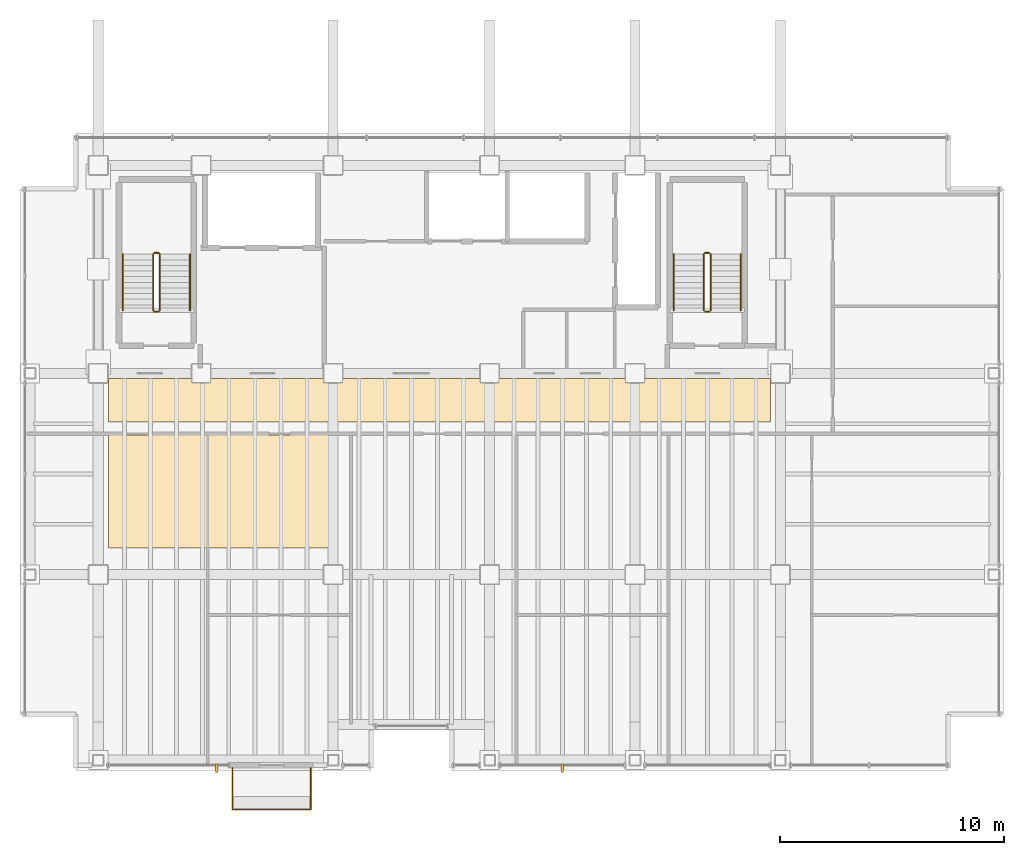
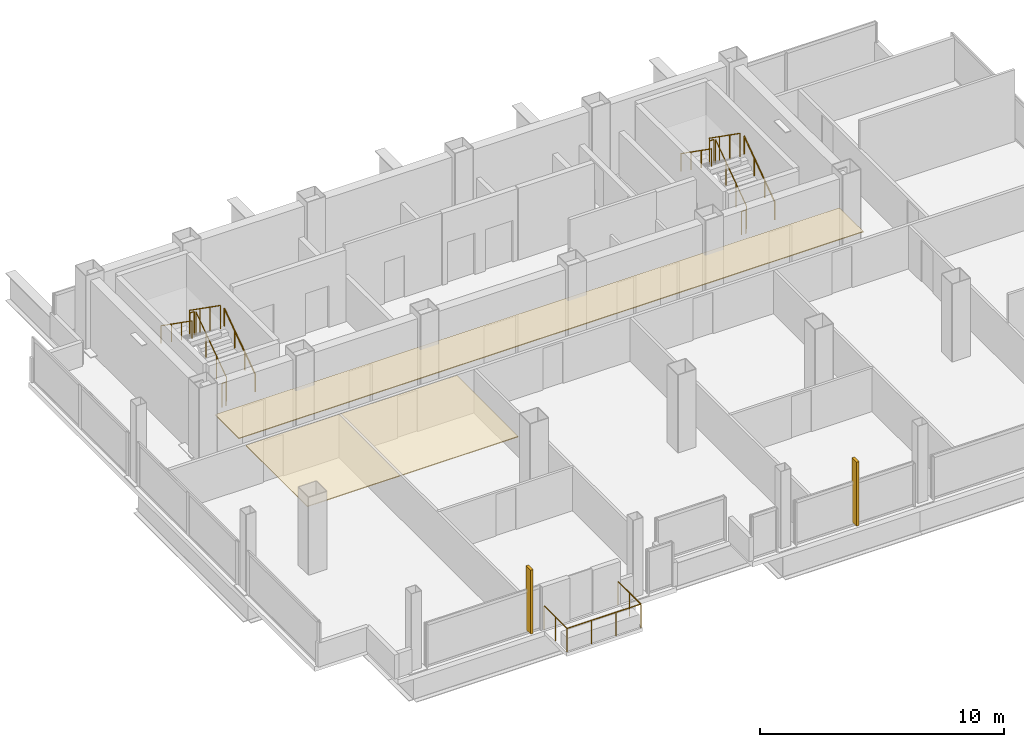
# One storey, part 17 of 17: 13 railings, 2 coverings, 2 shading devices.
"""IFC4 building model written with IfcOpenShell, lengths in metres."""

from ifc_helpers import new_model, si_unit, direction, frame, origin, origin_2d, place, context, subcontext, project, spatial, polyline, rectangle, circle, outline, extrude, material, layer, layer_set, type_object, element, save


model = new_model("IFC4")

# Units and contexts
model_context = context("Model", 3, precision=1e-05, world=origin(), true_north=direction((0.0, 1.0)))
body_context = subcontext(model_context, "Body", "Model", "MODEL_VIEW")
ifc_project = project(units=[si_unit("LENGTHUNIT", "METRE"), si_unit("AREAUNIT", "SQUARE_METRE"), si_unit("VOLUMEUNIT", "CUBIC_METRE"), si_unit("PLANEANGLEUNIT", "RADIAN"), si_unit("MASSUNIT", "GRAM", prefix="KILO")], contexts=[model_context])

# Site, building, storey
site_placement = place(None, origin())
site = spatial("IfcSite", under=ifc_project, at=site_placement, CompositionType="ELEMENT")
building_placement = place(site_placement, origin())
building = spatial("IfcBuilding", under=site, at=building_placement, Name="Noeulbin Bourse Tower", CompositionType="ELEMENT")
storey_placement = place(building_placement, frame((0.0, 0.0, 196.800048828125)))
storey = spatial("IfcBuildingStorey", under=building, at=storey_placement, Name="L49", CompositionType="ELEMENT", Elevation=196.800048828125)

# Coverings
ifc_material_1 = material(Name="Perforated Mineral-Fibre Acoustic Tile")
ifc_layer_1 = layer(ifc_material_1, 0.0400390625)
ifc_layer_set_1 = layer_set([ifc_layer_1], Name="Perforated Mineral-Fibre Acoustic Tile")
covering_type = type_object("IfcCoveringType", Name="COV-CEIL-ACT", PredefinedType="CEILING", material=ifc_layer_set_1)
covering_1_placement = place(storey_placement, frame((0.0, 0.0, 2.10986328125)))
element("IfcCovering", 1, at=covering_1_placement, inside=storey, type_object=covering_type, Name="Corridor Suspended Ceiling L49", PredefinedType="CEILING", context=body_context, shape_type="SweptSolid", body=[
    extrude(outline(polyline([(13.949951171875, 26.820068359375), (43.550048828125, 26.820068359375), (43.550048828125, 28.780029296875), (13.949951171875, 28.780029296875), (13.949951171875, 26.820068359375)])), origin(), (0.0, 0.0, 1.0), 0.0400390625),
])
covering_2_placement = place(storey_placement, frame((0.0, 0.0, 2.10986328125)))
element("IfcCovering", 2, at=covering_2_placement, inside=storey, type_object=covering_type, Name="Trading Suite Acoustic Ceiling L49", PredefinedType="CEILING", context=body_context, shape_type="SweptSolid", body=[
    extrude(outline(polyline([(13.949951171875, 21.199951171875), (23.949951171875, 21.199951171875), (23.949951171875, 26.25), (13.949951171875, 26.25), (13.949951171875, 21.199951171875)])), origin(), (0.0, 0.0, 1.0), 0.0400390625),
])

# Railings
ifc_material_2 = material(Name="Laminated SentryGlas and Stainless Steel 316", Category="steel")
ifc_layer_2 = layer(ifc_material_2, 0.06005859375)
ifc_layer_set_2 = layer_set([ifc_layer_2], Name="Laminated SentryGlas and Stainless Steel 316")
railing_type_1 = type_object("IfcRailingType", Name="RLG-BAL-1200", PredefinedType="BALUSTRADE", material=ifc_layer_set_2)
railing_1_placement = place(storey_placement, frame((19.5, 11.3701171875, 0.0)))
element("IfcRailing", 3, at=railing_1_placement, inside=storey, type_object=railing_type_1, Name="Tree-Balcony Glazed Balustrade L49", PredefinedType="BALUSTRADE", context=body_context, shape_type="SweptSolid", body=[
    extrude(circle(Radius=0.02392578125, at=origin_2d()), frame((0.0, 0.0, 1.17578125), z_axis=(0.0, -1.0, 0.0), x_axis=(1.0, 0.0, 0.0)), (0.0, 0.0, 1.0), 1.8701171875),
    extrude(circle(Radius=0.02392578125, at=origin_2d()), frame((0.0, -1.8701171875, 1.17578125), z_axis=(1.0, 0.0, 0.0), x_axis=(0.0, 1.0, 0.0)), (0.0, 0.0, 1.0), 3.5),
    extrude(circle(Radius=0.02392578125, at=origin_2d()), frame((3.5, -1.8701171875, 1.17578125), z_axis=(0.0, 1.0, 0.0), x_axis=(-1.0, 0.0, 0.0)), (0.0, 0.0, 1.0), 1.8701171875),
    extrude(circle(Radius=0.02099609375, at=origin_2d()), origin(), (0.0, 0.0, 1.0), 1.15185546875),
    extrude(circle(Radius=0.02099609375, at=origin_2d()), frame((0.0, -0.93505859375, 0.0)), (0.0, 0.0, 1.0), 1.15185546875),
    extrude(circle(Radius=0.02099609375, at=origin_2d()), frame((0.0, -1.8701171875, 0.0)), (0.0, 0.0, 1.0), 1.15185546875),
    extrude(circle(Radius=0.02099609375, at=origin_2d()), frame((1.166748046875, -1.8701171875, 0.0)), (0.0, 0.0, 1.0), 1.15185546875),
    extrude(circle(Radius=0.02099609375, at=origin_2d()), frame((2.333251953125, -1.8701171875, 0.0)), (0.0, 0.0, 1.0), 1.15185546875),
    extrude(circle(Radius=0.02099609375, at=origin_2d()), frame((3.5, -1.8701171875, 0.0)), (0.0, 0.0, 1.0), 1.15185546875),
    extrude(circle(Radius=0.02099609375, at=origin_2d()), frame((3.5, -0.93505859375, 0.0)), (0.0, 0.0, 1.0), 1.15185546875),
    extrude(circle(Radius=0.02099609375, at=origin_2d()), frame((3.5, 0.0, 0.0)), (0.0, 0.0, 1.0), 1.15185546875),
])
ifc_material_3 = material(Name="Painted Tubular Steel S355", Category="steel")
ifc_layer_3 = layer(ifc_material_3, 0.048095703125)
ifc_layer_set_3 = layer_set([ifc_layer_3], Name="Painted Tubular Steel S355")
railing_type_2 = type_object("IfcRailingType", Name="RLG-STR-GRD", PredefinedType="GUARDRAIL", material=ifc_layer_set_3)
railing_2_placement = place(storey_placement, frame((16.25, 31.81005859375, 0.17724609375)))
element("IfcRailing", 4, at=railing_2_placement, inside=storey, type_object=railing_type_2, Name="L49 ST-1 stair guard 1", PredefinedType="GUARDRAIL", context=body_context, shape_type="SweptSolid", body=[
    extrude(circle(Radius=0.02392578125, at=origin_2d()), frame((0.0, 0.0, 1.17578125), z_axis=(0.0, 0.817904474719, 0.575354039036), x_axis=(-1.0, 0.0, 0.0)), (0.0, 0.0, 1.0), 3.0810546875),
    extrude(circle(Radius=0.02099609375, at=origin_2d()), origin(), (0.0, 0.0, 1.0), 1.15185546875),
    extrude(circle(Radius=0.02099609375, at=origin_2d()), frame((0.0, 0.840087890625, 0.5908203125)), (0.0, 0.0, 1.0), 1.15185546875),
    extrude(circle(Radius=0.02099609375, at=origin_2d()), frame((0.0, 1.679931640625, 1.181884765625)), (0.0, 0.0, 1.0), 1.15185546875),
    extrude(circle(Radius=0.02099609375, at=origin_2d()), frame((0.0, 2.52001953125, 1.772705078125)), (0.0, 0.0, 1.0), 1.15185546875),
])
railing_3_placement = place(storey_placement, frame((16.199951171875, 34.3798828125, 1.949951171875)))
element("IfcRailing", 5, at=railing_3_placement, inside=storey, type_object=railing_type_2, Name="L49 ST-1 stair guard 2", PredefinedType="GUARDRAIL", context=body_context, shape_type="SweptSolid", body=[
    extrude(circle(Radius=0.02392578125, at=origin_2d()), frame((0.0, 0.0, 1.17578125), z_axis=(-1.0, 0.0, 0.0), x_axis=(0.0, -1.0, 0.0)), (0.0, 0.0, 1.0), 0.199951171875),
    extrude(circle(Radius=0.02099609375, at=origin_2d()), origin(), (0.0, 0.0, 1.0), 1.15185546875),
    extrude(circle(Radius=0.02099609375, at=origin_2d()), frame((-0.199951171875, 0.0, 0.0)), (0.0, 0.0, 1.0), 1.15185546875),
])
railing_4_placement = place(storey_placement, frame((15.949951171875, 34.330078125, 2.127197265625)))
element("IfcRailing", 6, at=railing_4_placement, inside=storey, type_object=railing_type_2, Name="L49 ST-1 stair guard 3", PredefinedType="GUARDRAIL", context=body_context, shape_type="SweptSolid", body=[
    extrude(circle(Radius=0.02392578125, at=origin_2d()), frame((0.0, 0.0, 1.17578125), z_axis=(0.0, -0.817904474719, 0.575354039036), x_axis=(1.0, 0.0, 0.0)), (0.0, 0.0, 1.0), 3.0810546875),
    extrude(circle(Radius=0.02099609375, at=origin_2d()), origin(), (0.0, 0.0, 1.0), 1.15185546875),
    extrude(circle(Radius=0.02099609375, at=origin_2d()), frame((0.0, -0.840087890625, 0.5908203125)), (0.0, 0.0, 1.0), 1.15185546875),
    extrude(circle(Radius=0.02099609375, at=origin_2d()), frame((0.0, -1.679931640625, 1.181884765625)), (0.0, 0.0, 1.0), 1.15185546875),
    extrude(circle(Radius=0.02099609375, at=origin_2d()), frame((0.0, -2.52001953125, 1.772705078125)), (0.0, 0.0, 1.0), 1.15185546875),
])
railing_5_placement = place(storey_placement, frame((16.199951171875, 31.760009765625, 0.0)))
element("IfcRailing", 7, at=railing_5_placement, inside=storey, type_object=railing_type_2, Name="L49 ST-1 stair guard 4", PredefinedType="GUARDRAIL", context=body_context, shape_type="SweptSolid", body=[
    extrude(circle(Radius=0.02392578125, at=origin_2d()), frame((0.0, 0.0, 1.17578125), z_axis=(-1.0, 0.0, 0.0), x_axis=(0.0, -1.0, 0.0)), (0.0, 0.0, 1.0), 0.199951171875),
    extrude(circle(Radius=0.02099609375, at=origin_2d()), origin(), (0.0, 0.0, 1.0), 1.15185546875),
    extrude(circle(Radius=0.02099609375, at=origin_2d()), frame((-0.199951171875, 0.0, 0.0)), (0.0, 0.0, 1.0), 1.15185546875),
])
railing_6_placement = place(storey_placement, frame((40.8798828125, 31.81005859375, 0.17724609375)))
element("IfcRailing", 8, at=railing_6_placement, inside=storey, type_object=railing_type_2, Name="L49 ST-2 stair guard 1", PredefinedType="GUARDRAIL", context=body_context, shape_type="SweptSolid", body=[
    extrude(circle(Radius=0.02392578125, at=origin_2d()), frame((0.0, 0.0, 1.17578125), z_axis=(0.0, 0.817904474719, 0.575354039036), x_axis=(-1.0, 0.0, 0.0)), (0.0, 0.0, 1.0), 3.0810546875),
    extrude(circle(Radius=0.02099609375, at=origin_2d()), origin(), (0.0, 0.0, 1.0), 1.15185546875),
    extrude(circle(Radius=0.02099609375, at=origin_2d()), frame((0.0, 0.840087890625, 0.5908203125)), (0.0, 0.0, 1.0), 1.15185546875),
    extrude(circle(Radius=0.02099609375, at=origin_2d()), frame((0.0, 1.679931640625, 1.181884765625)), (0.0, 0.0, 1.0), 1.15185546875),
    extrude(circle(Radius=0.02099609375, at=origin_2d()), frame((0.0, 2.52001953125, 1.772705078125)), (0.0, 0.0, 1.0), 1.15185546875),
])
railing_7_placement = place(storey_placement, frame((40.830078125, 34.3798828125, 1.949951171875)))
element("IfcRailing", 9, at=railing_7_placement, inside=storey, type_object=railing_type_2, Name="L49 ST-2 stair guard 2", PredefinedType="GUARDRAIL", context=body_context, shape_type="SweptSolid", body=[
    extrude(circle(Radius=0.02392578125, at=origin_2d()), frame((0.0, 0.0, 1.17578125), z_axis=(-1.0, 0.0, 0.0), x_axis=(0.0, -1.0, 0.0)), (0.0, 0.0, 1.0), 0.2001953125),
    extrude(circle(Radius=0.02099609375, at=origin_2d()), origin(), (0.0, 0.0, 1.0), 1.15185546875),
    extrude(circle(Radius=0.02099609375, at=origin_2d()), frame((-0.2001953125, 0.0, 0.0)), (0.0, 0.0, 1.0), 1.15185546875),
])
railing_8_placement = place(storey_placement, frame((40.580078125, 34.330078125, 2.127197265625)))
element("IfcRailing", 10, at=railing_8_placement, inside=storey, type_object=railing_type_2, Name="L49 ST-2 stair guard 3", PredefinedType="GUARDRAIL", context=body_context, shape_type="SweptSolid", body=[
    extrude(circle(Radius=0.02392578125, at=origin_2d()), frame((0.0, 0.0, 1.17578125), z_axis=(0.0, -0.817904474719, 0.575354039036), x_axis=(1.0, 0.0, 0.0)), (0.0, 0.0, 1.0), 3.0810546875),
    extrude(circle(Radius=0.02099609375, at=origin_2d()), origin(), (0.0, 0.0, 1.0), 1.15185546875),
    extrude(circle(Radius=0.02099609375, at=origin_2d()), frame((0.0, -0.840087890625, 0.5908203125)), (0.0, 0.0, 1.0), 1.15185546875),
    extrude(circle(Radius=0.02099609375, at=origin_2d()), frame((0.0, -1.679931640625, 1.181884765625)), (0.0, 0.0, 1.0), 1.15185546875),
    extrude(circle(Radius=0.02099609375, at=origin_2d()), frame((0.0, -2.52001953125, 1.772705078125)), (0.0, 0.0, 1.0), 1.15185546875),
])
railing_9_placement = place(storey_placement, frame((40.830078125, 31.760009765625, 0.0)))
element("IfcRailing", 11, at=railing_9_placement, inside=storey, type_object=railing_type_2, Name="L49 ST-2 stair guard 4", PredefinedType="GUARDRAIL", context=body_context, shape_type="SweptSolid", body=[
    extrude(circle(Radius=0.02392578125, at=origin_2d()), frame((0.0, 0.0, 1.17578125), z_axis=(-1.0, 0.0, 0.0), x_axis=(0.0, -1.0, 0.0)), (0.0, 0.0, 1.0), 0.2001953125),
    extrude(circle(Radius=0.02099609375, at=origin_2d()), origin(), (0.0, 0.0, 1.0), 1.15185546875),
    extrude(circle(Radius=0.02099609375, at=origin_2d()), frame((-0.2001953125, 0.0, 0.0)), (0.0, 0.0, 1.0), 1.15185546875),
])
ifc_material_4 = material(Name="Brushed Stainless Steel 316", Category="steel")
ifc_layer_4 = layer(ifc_material_4, 0.048095703125)
ifc_layer_set_4 = layer_set([ifc_layer_4], Name="Brushed Stainless Steel 316")
railing_type_3 = type_object("IfcRailingType", Name="RLG-STR-HND", PredefinedType="HANDRAIL", material=ifc_layer_set_4)
railing_10_placement = place(storey_placement, frame((17.60009765625, 31.81005859375, 0.17724609375)))
element("IfcRailing", 12, at=railing_10_placement, inside=storey, type_object=railing_type_3, Name="L49 ST-1 stair handrail 1", PredefinedType="HANDRAIL", context=body_context, shape_type="SweptSolid", body=[
    extrude(circle(Radius=0.02392578125, at=origin_2d()), frame((0.0, 0.0, 0.8759765625), z_axis=(0.0, 0.817904474719, 0.575354039036), x_axis=(-1.0, 0.0, 0.0)), (0.0, 0.0, 1.0), 3.0810546875),
    extrude(circle(Radius=0.02099609375, at=origin_2d()), origin(), (0.0, 0.0, 1.0), 0.851806640625),
    extrude(circle(Radius=0.02099609375, at=origin_2d()), frame((0.0, 0.840087890625, 0.5908203125)), (0.0, 0.0, 1.0), 0.851806640625),
    extrude(circle(Radius=0.02099609375, at=origin_2d()), frame((0.0, 1.679931640625, 1.181884765625)), (0.0, 0.0, 1.0), 0.851806640625),
    extrude(circle(Radius=0.02099609375, at=origin_2d()), frame((0.0, 2.52001953125, 1.772705078125)), (0.0, 0.0, 1.0), 0.851806640625),
])
railing_11_placement = place(storey_placement, frame((14.60009765625, 34.330078125, 2.127197265625)))
element("IfcRailing", 13, at=railing_11_placement, inside=storey, type_object=railing_type_3, Name="L49 ST-1 stair handrail 2", PredefinedType="HANDRAIL", context=body_context, shape_type="SweptSolid", body=[
    extrude(circle(Radius=0.02392578125, at=origin_2d()), frame((0.0, 0.0, 0.8759765625), z_axis=(0.0, -0.817904474719, 0.575354039036), x_axis=(1.0, 0.0, 0.0)), (0.0, 0.0, 1.0), 3.0810546875),
    extrude(circle(Radius=0.02099609375, at=origin_2d()), origin(), (0.0, 0.0, 1.0), 0.851806640625),
    extrude(circle(Radius=0.02099609375, at=origin_2d()), frame((0.0, -0.840087890625, 0.5908203125)), (0.0, 0.0, 1.0), 0.851806640625),
    extrude(circle(Radius=0.02099609375, at=origin_2d()), frame((0.0, -1.679931640625, 1.181884765625)), (0.0, 0.0, 1.0), 0.851806640625),
    extrude(circle(Radius=0.02099609375, at=origin_2d()), frame((0.0, -2.52001953125, 1.772705078125)), (0.0, 0.0, 1.0), 0.851806640625),
])
railing_12_placement = place(storey_placement, frame((42.22998046875, 31.81005859375, 0.17724609375)))
element("IfcRailing", 14, at=railing_12_placement, inside=storey, type_object=railing_type_3, Name="L49 ST-2 stair handrail 1", PredefinedType="HANDRAIL", context=body_context, shape_type="SweptSolid", body=[
    extrude(circle(Radius=0.02392578125, at=origin_2d()), frame((0.0, 0.0, 0.8759765625), z_axis=(0.0, 0.817904474719, 0.575354039036), x_axis=(-1.0, 0.0, 0.0)), (0.0, 0.0, 1.0), 3.0810546875),
    extrude(circle(Radius=0.02099609375, at=origin_2d()), origin(), (0.0, 0.0, 1.0), 0.851806640625),
    extrude(circle(Radius=0.02099609375, at=origin_2d()), frame((0.0, 0.840087890625, 0.5908203125)), (0.0, 0.0, 1.0), 0.851806640625),
    extrude(circle(Radius=0.02099609375, at=origin_2d()), frame((0.0, 1.679931640625, 1.181884765625)), (0.0, 0.0, 1.0), 0.851806640625),
    extrude(circle(Radius=0.02099609375, at=origin_2d()), frame((0.0, 2.52001953125, 1.772705078125)), (0.0, 0.0, 1.0), 0.851806640625),
])
railing_13_placement = place(storey_placement, frame((39.22998046875, 34.330078125, 2.127197265625)))
element("IfcRailing", 15, at=railing_13_placement, inside=storey, type_object=railing_type_3, Name="L49 ST-2 stair handrail 2", PredefinedType="HANDRAIL", context=body_context, shape_type="SweptSolid", body=[
    extrude(circle(Radius=0.02392578125, at=origin_2d()), frame((0.0, 0.0, 0.8759765625), z_axis=(0.0, -0.817904474719, 0.575354039036), x_axis=(1.0, 0.0, 0.0)), (0.0, 0.0, 1.0), 3.0810546875),
    extrude(circle(Radius=0.02099609375, at=origin_2d()), origin(), (0.0, 0.0, 1.0), 0.851806640625),
    extrude(circle(Radius=0.02099609375, at=origin_2d()), frame((0.0, -0.840087890625, 0.5908203125)), (0.0, 0.0, 1.0), 0.851806640625),
    extrude(circle(Radius=0.02099609375, at=origin_2d()), frame((0.0, -1.679931640625, 1.181884765625)), (0.0, 0.0, 1.0), 0.851806640625),
    extrude(circle(Radius=0.02099609375, at=origin_2d()), frame((0.0, -2.52001953125, 1.772705078125)), (0.0, 0.0, 1.0), 0.851806640625),
])

# Shading devices
ifc_material_5 = material(Name="Anodised Aluminium 6063-T6", Category="aluminium")
ifc_layer_5 = layer(ifc_material_5, 3.199951171875)
ifc_layer_set_5 = layer_set([ifc_layer_5], Name="Anodised Aluminium 6063-T6")
shading_device_type = type_object("IfcShadingDeviceType", Name="SHD-FIN-400", PredefinedType="USERDEFINED", material=ifc_layer_set_5)
for number, where, z_axis, x_axis, name in (
    (16, (18.800048828125, 11.35009765625, 0.14990234375), (0.0, 0.0, 1.0), (1.0, 0.0, 0.0), "Vertical Solar Fin SN-L49-1"),
    (17, (34.25, 11.35009765625, 0.14990234375), (0.0, 0.0, 1.0), (1.0, 0.0, 0.0), "Vertical Solar Fin SN-L49-2"),
):
    element("IfcShadingDevice", number, at=place(storey_placement, frame(where, z_axis=z_axis, x_axis=x_axis)), inside=storey, type_object=shading_device_type, Name=name, ObjectType="SUNSHADE", PredefinedType="USERDEFINED", context=body_context, shape_type="SweptSolid", body=[
        extrude(rectangle(XDim=0.1201171875, YDim=0.3798828125, at=origin_2d()), origin(), (0.0, 0.0, 1.0), 3.199951171875),
    ])

save(model, "model.ifc")
